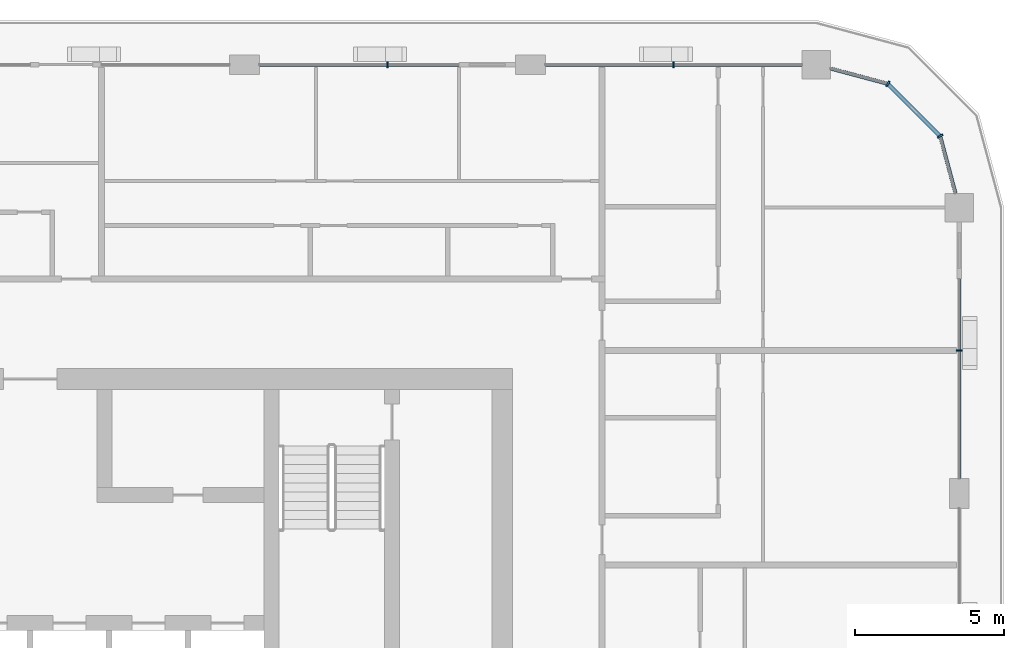
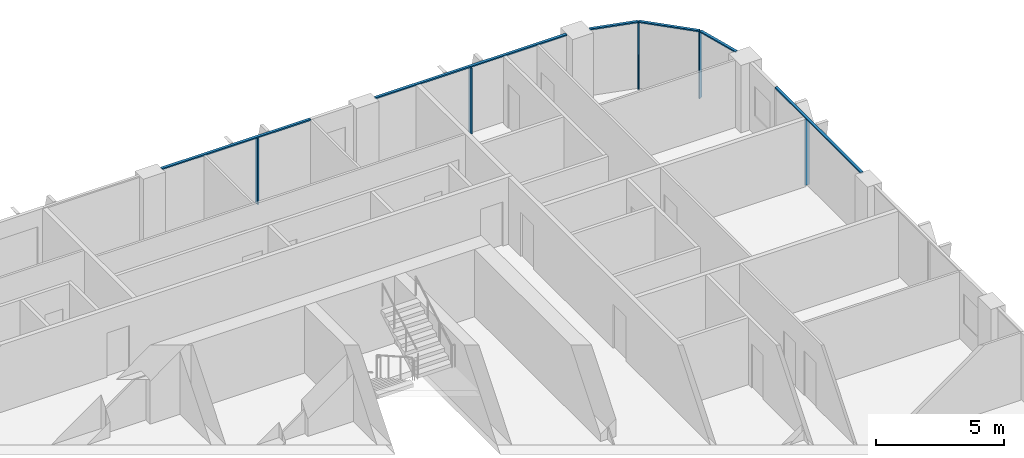
# One storey, part 6 of 21: 11 members, 4 elements without a shape of their own.
"""IFC4 building model written with IfcOpenShell, lengths in metres."""

from ifc_helpers import new_model, si_unit, direction, frame, origin, origin_2d, place, context, subcontext, project, spatial, rectangle, extrude, material, layer, layer_set, material_profile, profile_set, type_object, element, aggregate, save


model = new_model("IFC4")

# Units and contexts
model_context = context("Model", 3, precision=1e-05, world=origin(), true_north=direction((0.0, 1.0)))
body_context = subcontext(model_context, "Body", "Model", "MODEL_VIEW")
ifc_project = project(units=[si_unit("LENGTHUNIT", "METRE"), si_unit("AREAUNIT", "SQUARE_METRE"), si_unit("VOLUMEUNIT", "CUBIC_METRE"), si_unit("PLANEANGLEUNIT", "RADIAN"), si_unit("MASSUNIT", "GRAM", prefix="KILO")], contexts=[model_context])

# Site, building, storey
site_placement = place(None, origin())
site = spatial("IfcSite", under=ifc_project, at=site_placement, CompositionType="ELEMENT")
building_placement = place(site_placement, origin())
building = spatial("IfcBuilding", under=site, at=building_placement, Name="Madar Terraces", CompositionType="ELEMENT")
storey_placement = place(building_placement, frame((0.0, 0.0, 185.89990234375)))
storey = spatial("IfcBuildingStorey", under=building, at=storey_placement, Name="L48", CompositionType="ELEMENT", Elevation=185.89990234375)

# Curtain wall, member
ifc_material_1 = material(Name="Glass, ceramic frit dark grey, with black aluminium frame", Category="aluminium")
ifc_layer = layer(ifc_material_1, 0.199951171875)
ifc_layer_set = layer_set([ifc_layer], Name="Facade curtain wall, fritted glass")
curtain_wall_type = type_object("IfcCurtainWallType", Name="Facade curtain wall, fritted glass", PredefinedType="NOTDEFINED", material=ifc_layer_set)
curtain_wall_1_placement = place(storey_placement, origin())
curtain_wall_1 = element("IfcCurtainWall", 1, at=curtain_wall_1_placement, inside=storey, type_object=curtain_wall_type, Name="Outer skin curtain wall east bay 4", PredefinedType="NOTDEFINED")
ifc_material_2 = material(Name="Aluminium, black anodised", Category="aluminium")
ifc_material_profile_1 = material_profile(ifc_material_2, rectangle(XDim=0.199951171875, YDim=0.06005859375, at=origin_2d()), Name="Facade mullion 60x200")
ifc_profile_set_1 = profile_set([ifc_material_profile_1], Name="Aluminium, black anodised")
member_type_1 = type_object("IfcMemberType", Name="Facade mullion 60x200", PredefinedType="MULLION", material=ifc_profile_set_1)
member_1_placement = place(storey_placement, frame((62.39990234375, 38.39990234375, 0.0), z_axis=(0.0, 0.0, 1.0), x_axis=(-1.0, 0.0, 0.0)))
member_1 = element("IfcMember", 2, at=member_1_placement, type_object=member_type_1, Name="Mullion 1", PredefinedType="MULLION", context=body_context, shape_type="SweptSolid", body=[
    extrude(rectangle(XDim=0.199951171875, YDim=0.06005859375, at=origin_2d()), origin(), (0.0, 0.0, 1.0), 3.14013671875),
])

curtain_wall_2_placement = place(storey_placement, origin())
curtain_wall_2 = element("IfcCurtainWall", 3, at=curtain_wall_2_placement, inside=storey, type_object=curtain_wall_type, Name="Outer skin curtain wall north bay 1", PredefinedType="NOTDEFINED")
member_2_placement = place(storey_placement, frame((52.800048828125, 48.0, 0.0), z_axis=(0.0, 0.0, 1.0), x_axis=(0.0, -1.0, 0.0)))
member_2 = element("IfcMember", 4, at=member_2_placement, type_object=member_type_1, Name="Mullion 1", PredefinedType="MULLION", context=body_context, shape_type="SweptSolid", body=[
    extrude(rectangle(XDim=0.199951171875, YDim=0.06005859375, at=origin_2d()), origin(), (0.0, 0.0, 1.0), 3.14013671875),
])

curtain_wall_3_placement = place(storey_placement, origin())
curtain_wall_3 = element("IfcCurtainWall", 5, at=curtain_wall_3_placement, inside=storey, type_object=curtain_wall_type, Name="Outer skin curtain wall north bay 2", PredefinedType="NOTDEFINED")
member_3_placement = place(storey_placement, frame((43.199951171875, 48.0, 0.0), z_axis=(0.0, 0.0, 1.0), x_axis=(0.0, -1.0, 0.0)))
member_3 = element("IfcMember", 6, at=member_3_placement, type_object=member_type_1, Name="Mullion 1", PredefinedType="MULLION", context=body_context, shape_type="SweptSolid", body=[
    extrude(rectangle(XDim=0.199951171875, YDim=0.06005859375, at=origin_2d()), origin(), (0.0, 0.0, 1.0), 3.14013671875),
])

# Curtain wall, members
curtain_wall_4_placement = place(storey_placement, origin())
curtain_wall_4 = element("IfcCurtainWall", 7, at=curtain_wall_4_placement, inside=storey, type_object=curtain_wall_type, Name="Outer skin curtain wall north-east corner", PredefinedType="NOTDEFINED")
member_4_placement = place(storey_placement, frame((61.7568359375, 45.60009765625, 0.0), z_axis=(0.0, 0.0, 1.0), x_axis=(-0.866025409797, -0.499999989586, 0.0)))
member_4 = element("IfcMember", 8, at=member_4_placement, type_object=member_type_1, Name="Mullion 1", PredefinedType="MULLION", context=body_context, shape_type="SweptSolid", body=[
    extrude(rectangle(XDim=0.199951171875, YDim=0.06005859375, at=origin_2d()), origin(), (0.0, 0.0, 1.0), 3.14013671875),
])
member_5_placement = place(storey_placement, frame((60.0, 47.35693359375, 0.0), z_axis=(0.0, 0.0, 1.0), x_axis=(-0.499999989586, -0.866025409797, 0.0)))
member_5 = element("IfcMember", 9, at=member_5_placement, type_object=member_type_1, Name="Mullion 2", PredefinedType="MULLION", context=body_context, shape_type="SweptSolid", body=[
    extrude(rectangle(XDim=0.199951171875, YDim=0.06005859375, at=origin_2d()), origin(), (0.0, 0.0, 1.0), 3.14013671875),
])

# Member
ifc_material_3 = material(Name="Aluminium, black anodised", Category="aluminium")
ifc_material_profile_2 = material_profile(ifc_material_3, rectangle(XDim=0.1201171875, YDim=0.06005859375, at=origin_2d()), Name="Facade transom 60x120")
ifc_profile_set_2 = profile_set([ifc_material_profile_2], Name="Aluminium, black anodised")
member_type_2 = type_object("IfcMemberType", Name="Facade transom 60x120", PredefinedType="USERDEFINED", material=ifc_profile_set_2)
member_6_placement = place(storey_placement, frame((62.39990234375, 34.10009765625, 3.170166015625), z_axis=(0.0, 1.0, 0.0), x_axis=(-1.0, 0.0, 0.0)))
member_6 = element("IfcMember", 10, at=member_6_placement, type_object=member_type_2, Name="Transom 1", ObjectType="TRANSOM", PredefinedType="USERDEFINED", context=body_context, shape_type="SweptSolid", body=[
    extrude(rectangle(XDim=0.1201171875, YDim=0.06005859375, at=origin_2d()), origin(), (0.0, 0.0, 1.0), 6.699951171875),
])

aggregate(curtain_wall_1, [member_1, member_6])

member_7_placement = place(storey_placement, frame((57.125, 48.0, 3.170166015625), z_axis=(-1.0, 0.0, 0.0), x_axis=(0.0, -1.0, 0.0)))
member_7 = element("IfcMember", 11, at=member_7_placement, type_object=member_type_2, Name="Transom 1", ObjectType="TRANSOM", PredefinedType="USERDEFINED", context=body_context, shape_type="SweptSolid", body=[
    extrude(rectangle(XDim=0.1201171875, YDim=0.06005859375, at=origin_2d()), origin(), (0.0, 0.0, 1.0), 8.625),
])

aggregate(curtain_wall_2, [member_2, member_7])

member_8_placement = place(storey_placement, frame((45.60009765625, 48.0, 3.170166015625), z_axis=(-1.0, 0.0, 0.0), x_axis=(0.0, -1.0, 0.0)))
member_8 = element("IfcMember", 12, at=member_8_placement, type_object=member_type_2, Name="Transom 1", ObjectType="TRANSOM", PredefinedType="USERDEFINED", context=body_context, shape_type="SweptSolid", body=[
    extrude(rectangle(XDim=0.1201171875, YDim=0.06005859375, at=origin_2d()), origin(), (0.0, 0.0, 1.0), 6.7001953125),
])

aggregate(curtain_wall_3, [member_3, member_8])

member_9_placement = place(storey_placement, frame((62.272705078125, 43.675048828125, 3.170166015625), z_axis=(-0.258831412352, 0.96592251241, 0.0), x_axis=(-0.96592251241, -0.258831412352, 0.0)))
member_9 = element("IfcMember", 13, at=member_9_placement, type_object=member_type_2, Name="Transom 1", ObjectType="TRANSOM", PredefinedType="USERDEFINED", context=body_context, shape_type="SweptSolid", body=[
    extrude(rectangle(XDim=0.1201171875, YDim=0.06005859375, at=origin_2d()), origin(), (0.0, 0.0, 1.0), 1.962890625),
])

member_10_placement = place(storey_placement, frame((61.735595703125, 45.62109375, 3.170166015625), z_axis=(-0.707056433593, 0.707157125196, 0.0), x_axis=(-0.707157125196, -0.707056433593, 0.0)))
member_10 = element("IfcMember", 14, at=member_10_placement, type_object=member_type_2, Name="Transom 2", ObjectType="TRANSOM", PredefinedType="USERDEFINED", context=body_context, shape_type="SweptSolid", body=[
    extrude(rectangle(XDim=0.1201171875, YDim=0.06005859375, at=origin_2d()), origin(), (0.0, 0.0, 1.0), 2.424560546875),
])

member_11_placement = place(storey_placement, frame((59.970947265625, 47.36474609375, 3.170166015625), z_axis=(-0.96592251241, 0.258831412352, 0.0), x_axis=(-0.258831412352, -0.96592251241, 0.0)))
member_11 = element("IfcMember", 15, at=member_11_placement, type_object=member_type_2, Name="Transom 3", ObjectType="TRANSOM", PredefinedType="USERDEFINED", context=body_context, shape_type="SweptSolid", body=[
    extrude(rectangle(XDim=0.1201171875, YDim=0.06005859375, at=origin_2d()), origin(), (0.0, 0.0, 1.0), 1.962890625),
])

aggregate(curtain_wall_4, [member_4, member_9, member_5, member_10, member_11])

save(model, "model.ifc")
